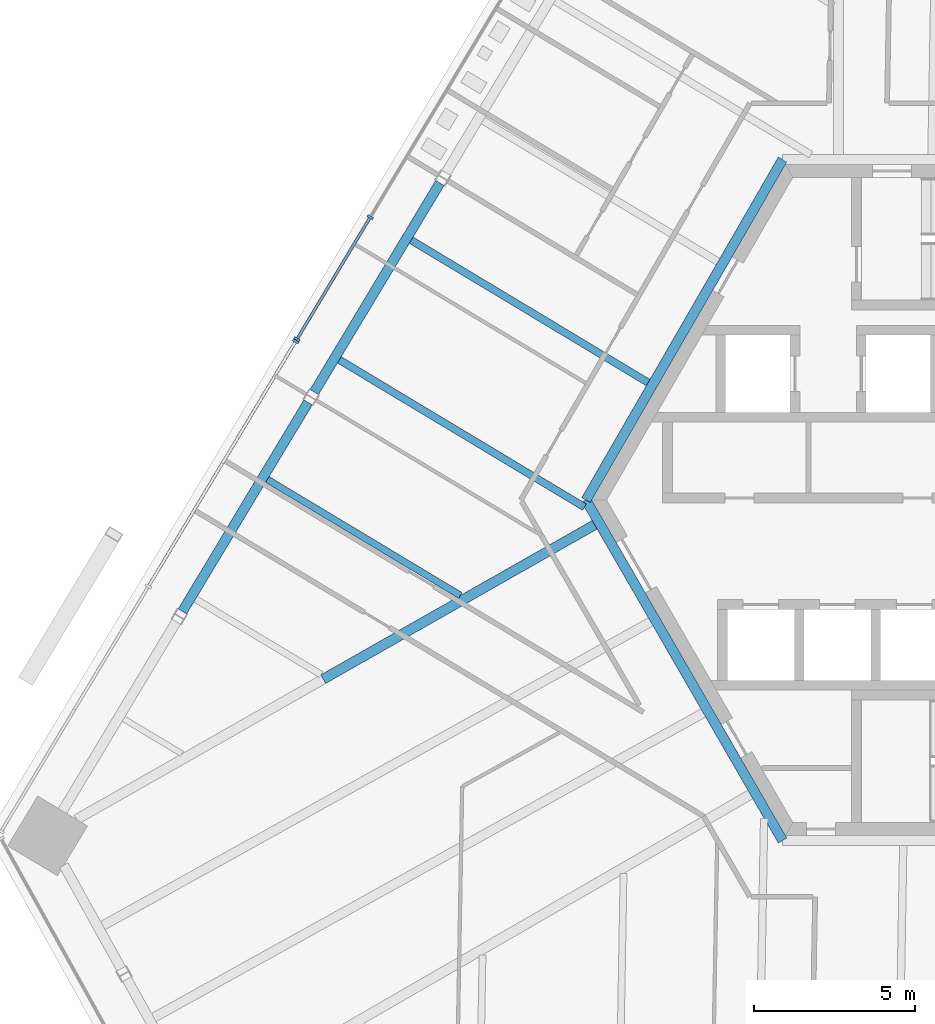
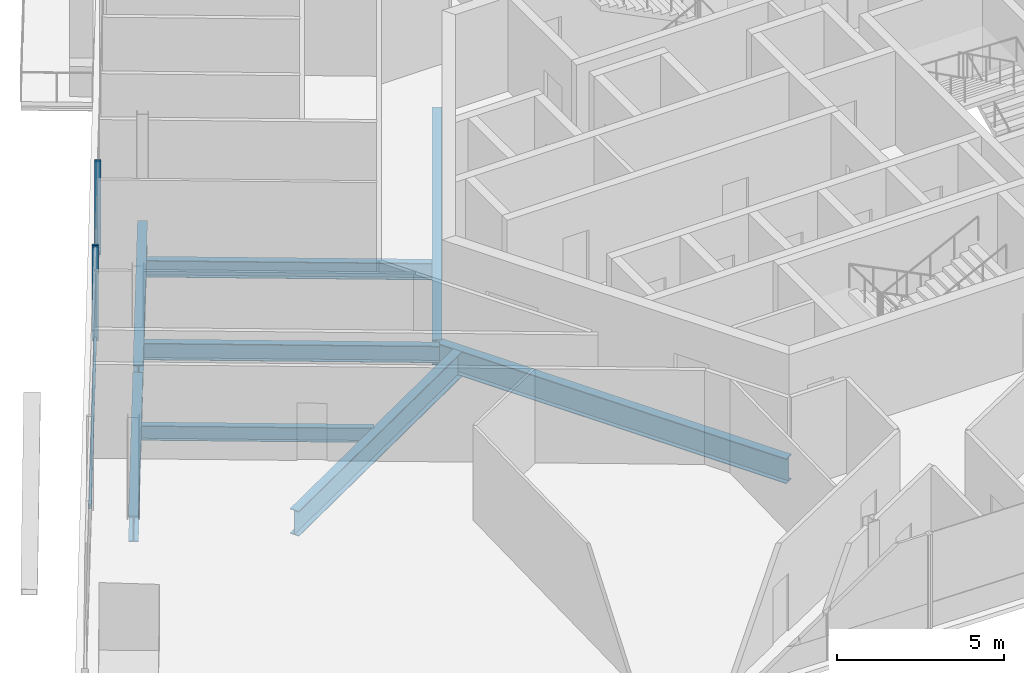
# One storey, part 5 of 19: 8 beams, 5 members, 2 elements without a shape of their own.
"""IFC4 building model written with IfcOpenShell, lengths in metres."""

from ifc_helpers import new_model, si_unit, direction, frame, origin, origin_2d, place, context, subcontext, project, spatial, rectangle, i_section, extrude, source, transform, mapped, material, material_profile, profile_set, type_object, element, aggregate, save


model = new_model("IFC4")

# Units and contexts
model_context = context("Model", 3, precision=1e-05, world=origin(), true_north=direction((0.0, 1.0)))
body_context = subcontext(model_context, "Body", "Model", "MODEL_VIEW")
ifc_project = project(units=[si_unit("LENGTHUNIT", "METRE"), si_unit("AREAUNIT", "SQUARE_METRE"), si_unit("VOLUMEUNIT", "CUBIC_METRE"), si_unit("PLANEANGLEUNIT", "RADIAN"), si_unit("MASSUNIT", "GRAM", prefix="KILO")], contexts=[model_context])

# Site, building, storey
site_placement = place(None, origin())
site = spatial("IfcSite", under=ifc_project, at=site_placement, CompositionType="ELEMENT")
building_placement = place(site_placement, origin())
building = spatial("IfcBuilding", under=site, at=building_placement, Name="Triune Harvest Tower", CompositionType="ELEMENT")
storey_placement = place(building_placement, frame((0.0, 0.0, 183.5)))
storey = spatial("IfcBuildingStorey", under=building, at=storey_placement, Name="L47", CompositionType="ELEMENT", Elevation=183.5)

# Beams
ifc_material_1 = material(Name="Steel ASTM A992 Gr 50", Category="steel")
ifc_material_profile_1 = material_profile(ifc_material_1, i_section(OverallWidth=0.3046875, OverallDepth=0.914306640625, WebThickness=0.0166015625, FlangeThickness=0.02587890625, at=origin_2d()), Name="W36x160")
ifc_profile_set_1 = profile_set([ifc_material_profile_1], Name="Steel ASTM A992 Gr 50")
beam_type_1 = type_object("IfcBeamType", Name="CG-1 Core ring girder W36x160", PredefinedType="BEAM", material=ifc_profile_set_1)
shared_shape_1 = source(origin(), body_context, "Body", "SweptSolid", [
    extrude(i_section(OverallWidth=0.3046875, OverallDepth=0.914306640625, WebThickness=0.0166015625, FlangeThickness=0.02587890625, at=origin_2d()), origin(), (0.0, 0.0, 1.0), 12.176025390625),
])
for number, where, z_axis, x_axis, name in (
    (1, (-6.087890625, 10.544677734375, -0.6171875), (-0.5000099932, -0.866019634131, 0.0), (0.866019634131, -0.5000099932, 0.0), "beam/L47/CG3"),
    (2, (-12.176025390625, 0.0, -0.6171875), (0.5000099932, -0.866019634131, 0.0), (0.866019634131, 0.5000099932, 0.0), "beam/L47/CG4"),
):
    element("IfcBeam", number, at=place(storey_placement, frame(where, z_axis=z_axis, x_axis=x_axis)), inside=storey, type_object=beam_type_1, Name=name, PredefinedType="BEAM", context=body_context, shape_type="MappedRepresentation", body=[
        mapped(shared_shape_1, transform((0.0, 0.0, 0.0), scale=1.0)),
    ])
ifc_material_2 = material(Name="Steel ASTM A992 Gr 50", Category="steel")
ifc_material_profile_2 = material_profile(ifc_material_2, i_section(OverallWidth=0.307373046875, OverallDepth=0.922119140625, WebThickness=0.018310546875, FlangeThickness=0.030029296875, at=origin_2d()), Name="W36x182")
ifc_profile_set_2 = profile_set([ifc_material_profile_2], Name="Steel ASTM A992 Gr 50")
beam_type_2 = type_object("IfcBeamType", Name="HG-2 Hip girder W36x182", PredefinedType="BEAM", material=ifc_profile_set_2)
shared_shape_2 = source(origin(), body_context, "Body", "SweptSolid", [
    extrude(i_section(OverallWidth=0.307373046875, OverallDepth=0.922119140625, WebThickness=0.018310546875, FlangeThickness=0.030029296875, at=origin_2d()), origin(), (0.0, 0.0, 1.0), 9.672119140625),
])
beam_1_placement = place(storey_placement, frame((-20.31591796875, -5.549560546875, -0.62109375), z_axis=(0.869255664029, 0.494362812673, 0.0), x_axis=(-0.494362812673, 0.869255664029, 0.0)))
element("IfcBeam", 3, at=beam_1_placement, inside=storey, type_object=beam_type_2, Name="beam/L47/HG6", PredefinedType="BEAM", context=body_context, shape_type="MappedRepresentation", body=[
    mapped(shared_shape_2, transform((0.0, 0.0, 0.0), scale=1.0)),
])
ifc_material_3 = material(Name="Steel ASTM A992 Gr 50", Category="steel")
ifc_material_profile_3 = material_profile(ifc_material_3, i_section(OverallWidth=0.3046875, OverallDepth=0.914306640625, WebThickness=0.0166015625, FlangeThickness=0.02587890625, at=origin_2d()), Name="W36x160")
ifc_profile_set_3 = profile_set([ifc_material_profile_3], Name="Steel ASTM A992 Gr 50")
beam_type_3 = type_object("IfcBeamType", Name="SB-1 Spandrel beam W36x160", PredefinedType="SPANDREL", material=ifc_profile_set_3)
shared_shape_3 = source(origin(), body_context, "Body", "SweptSolid", [
    extrude(i_section(OverallWidth=0.3046875, OverallDepth=0.914306640625, WebThickness=0.0166015625, FlangeThickness=0.02587890625, at=origin_2d()), origin(), (0.0, 0.0, 1.0), 7.556396484375),
])
for number, where, z_axis, x_axis, name in (
    (4, (-16.702880859375, 9.81982421875, -0.6171875), (-0.515065795781, -0.857150643712, 0.0), (0.857150643712, -0.515065795781, 0.0), "beam/L47/SB12"),
    (5, (-20.785888671875, 3.02490234375, -0.6171875), (-0.51504205773, -0.85716490757, 0.0), (0.85716490757, -0.51504205773, 0.0), "beam/L47/SB13"),
):
    element("IfcBeam", number, at=place(storey_placement, frame(where, z_axis=z_axis, x_axis=x_axis)), inside=storey, type_object=beam_type_3, Name=name, PredefinedType="SPANDREL", context=body_context, shape_type="MappedRepresentation", body=[
        mapped(shared_shape_3, transform((0.0, 0.0, 0.0), scale=1.0)),
    ])
ifc_material_4 = material(Name="Steel ASTM A992 Gr 50", Category="steel")
ifc_material_profile_4 = material_profile(ifc_material_4, i_section(OverallWidth=0.22900390625, OverallDepth=0.612060546875, WebThickness=0.011962890625, FlangeThickness=0.01953125, at=origin_2d()), Name="W24x84")
ifc_profile_set_4 = profile_set([ifc_material_profile_4], Name="Steel ASTM A992 Gr 50")
beam_type_4 = type_object("IfcBeamType", Name="JT-3 Floor joist W24x84", PredefinedType="JOIST", material=ifc_profile_set_4)
shared_shape_4 = source(origin(), body_context, "Body", "SweptSolid", [
    extrude(i_section(OverallWidth=0.22900390625, OverallDepth=0.612060546875, WebThickness=0.011962890625, FlangeThickness=0.01953125, at=origin_2d()), origin(), (0.0, 0.0, 1.0), 8.85888671875),
])
beam_2_placement = place(storey_placement, frame((-19.8173828125, 4.3408203125, -0.466064453125), z_axis=(0.857174209269, -0.515026576948, 0.0), x_axis=(0.515026576948, 0.857174209269, 0.0)))
element("IfcBeam", 6, at=beam_2_placement, inside=storey, type_object=beam_type_4, Name="beam/L47/JT19", PredefinedType="JOIST", context=body_context, shape_type="MappedRepresentation", body=[
    mapped(shared_shape_4, transform((0.0, 0.0, 0.0), scale=1.0)),
])
shared_shape_5 = source(origin(), body_context, "Body", "SweptSolid", [
    extrude(i_section(OverallWidth=0.22900390625, OverallDepth=0.612060546875, WebThickness=0.011962890625, FlangeThickness=0.01953125, at=origin_2d()), origin(), (0.0, 0.0, 1.0), 8.5615234375),
])
beam_3_placement = place(storey_placement, frame((-17.59033203125, 8.047119140625, -0.466064453125), z_axis=(0.857170691548, -0.515032431553, 0.0), x_axis=(0.515032431553, 0.857170691548, 0.0)))
element("IfcBeam", 7, at=beam_3_placement, inside=storey, type_object=beam_type_4, Name="beam/L47/JT18", PredefinedType="JOIST", context=body_context, shape_type="MappedRepresentation", body=[
    mapped(shared_shape_5, transform((0.0, 0.0, 0.0), scale=1.0)),
])
ifc_material_5 = material(Name="Steel ASTM A992 Gr 50", Category="steel")
ifc_material_profile_5 = material_profile(ifc_material_5, i_section(OverallWidth=0.2099609375, OverallDepth=0.535888671875, WebThickness=0.010986328125, FlangeThickness=0.017333984375, at=origin_2d()), Name="W21x68")
ifc_profile_set_5 = profile_set([ifc_material_profile_5], Name="Steel ASTM A992 Gr 50")
beam_type_5 = type_object("IfcBeamType", Name="JT-2 Floor joist W21x68", PredefinedType="JOIST", material=ifc_profile_set_5)
shared_shape_6 = source(origin(), body_context, "Body", "SweptSolid", [
    extrude(i_section(OverallWidth=0.2099609375, OverallDepth=0.535888671875, WebThickness=0.010986328125, FlangeThickness=0.017333984375, at=origin_2d()), origin(), (0.0, 0.0, 1.0), 6.972900390625),
])
beam_4_placement = place(storey_placement, frame((-22.04443359375, 0.634521484375, -0.427978515625), z_axis=(0.857162181364, -0.515046594823, 0.0), x_axis=(0.515046594823, 0.857162181364, 0.0)))
element("IfcBeam", 8, at=beam_4_placement, inside=storey, type_object=beam_type_5, Name="beam/L47/JT20", PredefinedType="JOIST", context=body_context, shape_type="MappedRepresentation", body=[
    mapped(shared_shape_6, transform((0.0, 0.0, 0.0), scale=1.0)),
])

# Curtain wall, members
ifc_material_6 = material(Name="Aluminium bronze anodised", Category="aluminium")
curtain_wall_type_1 = type_object("IfcCurtainWallType", Name="CW-6 Balcony window wall", PredefinedType="NOTDEFINED", material=ifc_material_6)
curtain_wall_1_placement = place(storey_placement, origin())
curtain_wall_1 = element("IfcCurtainWall", 9, at=curtain_wall_1_placement, inside=storey, type_object=curtain_wall_type_1, Name="CW-6 B5-F3 L47 run 2")
ifc_material_7 = material(Name="Aluminium bronze anodised", Category="aluminium")
ifc_material_profile_6 = material_profile(ifc_material_7, rectangle(XDim=0.199951171875, YDim=0.074951171875, at=origin_2d()), Name="MU-6 mullion 75 x 200")
ifc_profile_set_6 = profile_set([ifc_material_profile_6], Name="Aluminium bronze anodised")
member_type_1 = type_object("IfcMemberType", Name="MU-6 mullion 75 x 200", PredefinedType="MULLION", material=ifc_profile_set_6)
shared_shape_7 = source(origin(), body_context, "Body", "SweptSolid", [
    extrude(rectangle(XDim=0.199951171875, YDim=0.074951171875, at=origin_2d()), origin(), (0.0, 0.0, 1.0), 3.43994140625),
])
member_1_placement = place(storey_placement, frame((-18.859130859375, 8.759765625, 0.0), z_axis=(0.0, 0.0, 1.0), x_axis=(0.857167648661, -0.515037495808, 0.0)))
member_1 = element("IfcMember", 10, at=member_1_placement, type_object=member_type_1, Name="CW-6 mullion B5-F3 2.3", PredefinedType="MULLION", context=body_context, shape_type="MappedRepresentation", body=[
    mapped(shared_shape_7, transform((0.0, 0.0, 0.0), scale=1.0)),
])
member_2_placement = place(storey_placement, frame((-21.130615234375, 4.9794921875, 0.0), z_axis=(0.0, 0.0, 1.0), x_axis=(0.857167648661, -0.515037495808, 0.0)))
member_2 = element("IfcMember", 11, at=member_2_placement, type_object=member_type_1, Name="CW-6 mullion B5-F3 2.4", PredefinedType="MULLION", context=body_context, shape_type="MappedRepresentation", body=[
    mapped(shared_shape_7, transform((0.0, 0.0, 0.0), scale=1.0)),
])

# Curtain wall, member
ifc_material_8 = material(Name="Aluminium bronze anodised", Category="aluminium")
curtain_wall_type_2 = type_object("IfcCurtainWallType", Name="CW-10 Balcony window wall with insulated spandrel infill", PredefinedType="NOTDEFINED", material=ifc_material_8)
curtain_wall_2_placement = place(storey_placement, origin())
curtain_wall_2 = element("IfcCurtainWall", 12, at=curtain_wall_2_placement, inside=storey, type_object=curtain_wall_type_2, Name="CW-10 B5-F3 L47 run 1002")
member_3_placement = place(storey_placement, frame((-21.169189453125, 4.9150390625, 0.0), z_axis=(0.0, 0.0, 1.0), x_axis=(0.85716855673, -0.515035984523, 0.0)))
member_3 = element("IfcMember", 13, at=member_3_placement, type_object=member_type_1, Name="CW-10 mullion B5-F3 1002.1", PredefinedType="MULLION", context=body_context, shape_type="MappedRepresentation", body=[
    mapped(shared_shape_7, transform((0.0, 0.0, 0.0), scale=1.0)),
])

# Member
ifc_material_9 = material(Name="Aluminium bronze anodised", Category="aluminium")
ifc_material_profile_7 = material_profile(ifc_material_9, rectangle(XDim=0.090087890625, YDim=0.14990234375, at=origin_2d()), Name="TR-6 transom 90 x 150")
ifc_profile_set_7 = profile_set([ifc_material_profile_7], Name="Aluminium bronze anodised")
member_type_2 = type_object("IfcMemberType", Name="TR-6 transom 90 x 150", PredefinedType="USERDEFINED", material=ifc_profile_set_7)
shared_shape_8 = source(origin(), body_context, "Body", "SweptSolid", [
    extrude(rectangle(XDim=0.090087890625, YDim=0.14990234375, at=origin_2d()), origin(), (0.0, 0.0, 1.0), 4.335205078125),
])
member_4_placement = place(storey_placement, frame((-18.87841796875, 8.7275390625, 0.074951171875), z_axis=(-0.515050509117, -0.857159829354, 0.0), x_axis=(0.857159829354, -0.515050509117, 0.0)))
member_4 = element("IfcMember", 14, at=member_4_placement, type_object=member_type_2, Name="CW-6 transom B5-F3 2.2", ObjectType="TRANSOM", PredefinedType="USERDEFINED", context=body_context, shape_type="MappedRepresentation", body=[
    mapped(shared_shape_8, transform((0.0, 0.0, 0.0), scale=1.0)),
])

aggregate(curtain_wall_1, [member_1, member_2, member_4])

shared_shape_9 = source(origin(), body_context, "Body", "SweptSolid", [
    extrude(rectangle(XDim=0.090087890625, YDim=0.14990234375, at=origin_2d()), origin(), (0.0, 0.0, 1.0), 8.783203125),
])
member_5_placement = place(storey_placement, frame((-21.1884765625, 4.883056640625, 0.074951171875), z_axis=(-0.515043407206, -0.857164096713, 0.0), x_axis=(0.857164096713, -0.515043407206, 0.0)))
member_5 = element("IfcMember", 15, at=member_5_placement, type_object=member_type_2, Name="CW-10 transom B5-F3 1002.1", ObjectType="TRANSOM", PredefinedType="USERDEFINED", context=body_context, shape_type="MappedRepresentation", body=[
    mapped(shared_shape_9, transform((0.0, 0.0, 0.0), scale=1.0)),
])

aggregate(curtain_wall_2, [member_3, member_5])

save(model, "model.ifc")
